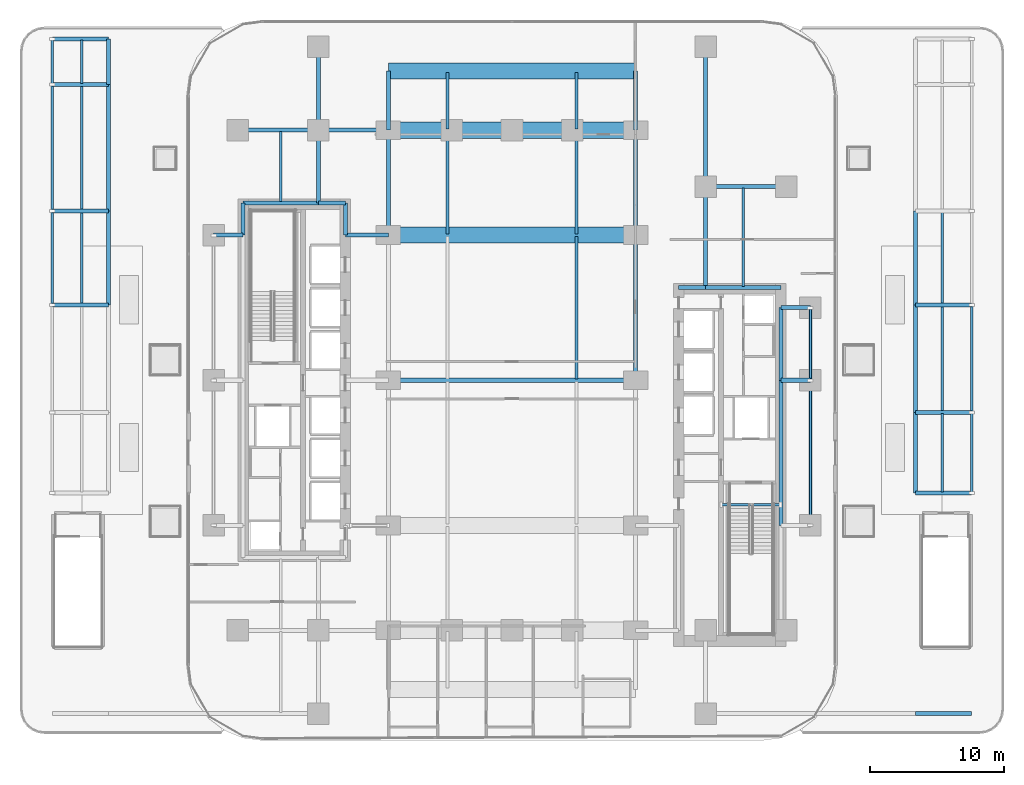
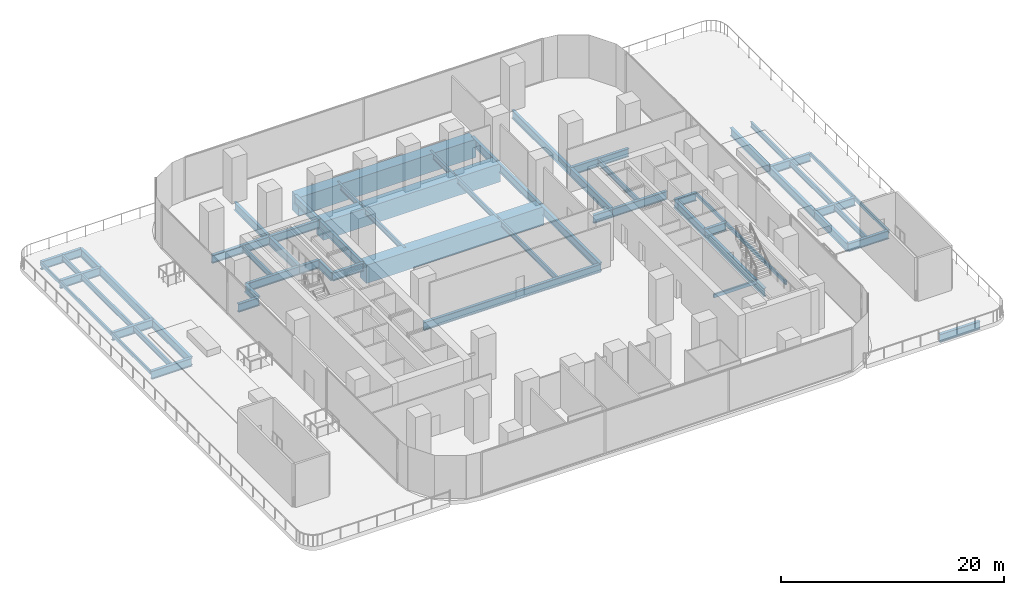
# One storey, part 2 of 21: 63 beams.
"""IFC4 building model written with IfcOpenShell, lengths in metres."""

from ifc_helpers import new_model, si_unit, direction, frame, origin, origin_2d, place, context, subcontext, project, spatial, rectangle, hollow_rectangle, i_section, extrude, material, material_profile, profile_set, type_object, element, save


model = new_model("IFC4")

# Units and contexts
model_context = context("Model", 3, precision=1e-05, world=origin(), true_north=direction((0.0, 1.0)))
body_context = subcontext(model_context, "Body", "Model", "MODEL_VIEW")
ifc_project = project(units=[si_unit("LENGTHUNIT", "METRE"), si_unit("AREAUNIT", "SQUARE_METRE"), si_unit("VOLUMEUNIT", "CUBIC_METRE"), si_unit("PLANEANGLEUNIT", "RADIAN"), si_unit("MASSUNIT", "GRAM", prefix="KILO")], contexts=[model_context])

# Site, building, storey
site_placement = place(None, origin())
site = spatial("IfcSite", under=ifc_project, at=site_placement, CompositionType="ELEMENT")
building_placement = place(site_placement, origin())
building = spatial("IfcBuilding", under=site, at=building_placement, Name="Khairoan Windgate Tower", CompositionType="ELEMENT")
storey_placement = place(building_placement, frame((0.0, 0.0, 21.0)))
storey = spatial("IfcBuildingStorey", under=building, at=storey_placement, Name="L05", CompositionType="ELEMENT", Elevation=21.0)

# Beams
ifc_material_1 = material(Name="Concrete C50/60", Category="concrete")
ifc_material_profile_1 = material_profile(ifc_material_1, rectangle(XDim=1.199951171875, YDim=2.0, at=origin_2d()))
ifc_profile_set_1 = profile_set([ifc_material_profile_1], Name="Concrete C50/60")
beam_type_1 = type_object("IfcBeamType", Name="Arch Transfer Girder TG1 RC1200x2000", PredefinedType="BEAM", material=ifc_profile_set_1)
for number, where, z_axis, x_axis, name in (
    (1, (-9.199951171875, 10.800048828125, -1.449951171875), (1.0, 0.0, 0.0), (0.0, 1.0, 0.0), "Podium Arch Transfer Girder TG1-04"),
    (2, (-9.199951171875, 18.60009765625, -1.449951171875), (1.0, 0.0, 0.0), (0.0, 1.0, 0.0), "Podium Arch Transfer Girder TG1-05"),
    (3, (-9.199951171875, 23.0, -1.449951171875), (1.0, 0.0, 0.0), (0.0, 1.0, 0.0), "Podium Arch Transfer Girder TG1-06"),
):
    element("IfcBeam", number, at=place(storey_placement, frame(where, z_axis=z_axis, x_axis=x_axis)), inside=storey, type_object=beam_type_1, Name=name, PredefinedType="BEAM", context=body_context, shape_type="SweptSolid", body=[
        extrude(rectangle(XDim=1.199951171875, YDim=2.0, at=origin_2d()), origin(), (0.0, 0.0, 1.0), 18.39990234375),
    ])
ifc_material_2 = material(Name="Steel S355", Category="steel")
ifc_material_profile_2 = material_profile(ifc_material_2, i_section(OverallWidth=0.300048828125, OverallDepth=0.89990234375, WebThickness=0.01611328125, FlangeThickness=0.028076171875, FilletRadius=0.028076171875, at=origin_2d()))
ifc_profile_set_2 = profile_set([ifc_material_profile_2], Name="Steel S355")
beam_type_2 = type_object("IfcBeamType", Name="Beam B-G1 H900x300x16x28", PredefinedType="BEAM", material=ifc_profile_set_2)
for number, where, z_axis, x_axis, name in (
    (4, (30.0, -24.800048828125, -0.89990234375), (1.0, 0.0, 0.0), (0.0, 1.0, 0.0), "L05 E-W Primary Girder 04"),
    (5, (30.0, -8.39990234375, -0.89990234375), (1.0, 0.0, 0.0), (0.0, 1.0, 0.0), "L05 E-W Primary Girder 15"),
    (6, (30.0, -2.39990234375, -0.89990234375), (1.0, 0.0, 0.0), (0.0, 1.0, 0.0), "L05 E-W Primary Girder 17"),
):
    element("IfcBeam", number, at=place(storey_placement, frame(where, z_axis=z_axis, x_axis=x_axis)), inside=storey, type_object=beam_type_2, Name=name, PredefinedType="BEAM", context=body_context, shape_type="SweptSolid", body=[
        extrude(i_section(OverallWidth=0.300048828125, OverallDepth=0.89990234375, WebThickness=0.01611328125, FlangeThickness=0.028076171875, FilletRadius=0.028076171875, at=origin_2d()), origin(), (0.0, 0.0, 1.0), 4.199951171875),
    ])
beam_1_placement = place(storey_placement, frame((-9.199951171875, 0.0, -0.89990234375), z_axis=(1.0, 0.0, 0.0), x_axis=(0.0, 1.0, 0.0)))
element("IfcBeam", 7, at=beam_1_placement, inside=storey, type_object=beam_type_2, Name="L05 E-W Primary Girder 20", PredefinedType="BEAM", context=body_context, shape_type="SweptSolid", body=[
    extrude(i_section(OverallWidth=0.300048828125, OverallDepth=0.89990234375, WebThickness=0.01611328125, FlangeThickness=0.028076171875, FilletRadius=0.028076171875, at=origin_2d()), origin(), (0.0, 0.0, 1.0), 18.39990234375),
])
for number, where, z_axis, x_axis, name in (
    (8, (20.0, 0.0, -0.89990234375), (1.0, 0.0, 0.0), (0.0, 1.0, 0.0), "L05 E-W Primary Girder 21"),
    (9, (20.0, 5.39990234375, -0.89990234375), (1.0, 0.0, 0.0), (0.0, 1.0, 0.0), "L05 E-W Primary Girder 22"),
):
    element("IfcBeam", number, at=place(storey_placement, frame(where, z_axis=z_axis, x_axis=x_axis)), inside=storey, type_object=beam_type_2, Name=name, PredefinedType="BEAM", context=body_context, shape_type="SweptSolid", body=[
        extrude(i_section(OverallWidth=0.300048828125, OverallDepth=0.89990234375, WebThickness=0.01611328125, FlangeThickness=0.028076171875, FilletRadius=0.028076171875, at=origin_2d()), origin(), (0.0, 0.0, 1.0), 2.199951171875),
    ])
for number, where, z_axis, x_axis, name in (
    (10, (-34.199951171875, 5.60009765625, -0.89990234375), (1.0, 0.0, 0.0), (0.0, 1.0, 0.0), "L05 E-W Primary Girder 23"),
    (11, (30.0, 5.60009765625, -0.89990234375), (1.0, 0.0, 0.0), (0.0, 1.0, 0.0), "L05 E-W Primary Girder 24"),
):
    element("IfcBeam", number, at=place(storey_placement, frame(where, z_axis=z_axis, x_axis=x_axis)), inside=storey, type_object=beam_type_2, Name=name, PredefinedType="BEAM", context=body_context, shape_type="SweptSolid", body=[
        extrude(i_section(OverallWidth=0.300048828125, OverallDepth=0.89990234375, WebThickness=0.01611328125, FlangeThickness=0.028076171875, FilletRadius=0.028076171875, at=origin_2d()), origin(), (0.0, 0.0, 1.0), 4.199951171875),
    ])
beam_2_placement = place(storey_placement, frame((12.39990234375, 6.89990234375, -0.89990234375), z_axis=(1.0, 0.0, 0.0), x_axis=(0.0, 1.0, 0.0)))
element("IfcBeam", 12, at=beam_2_placement, inside=storey, type_object=beam_type_2, Name="L05 E-W Primary Girder 25", PredefinedType="BEAM", context=body_context, shape_type="SweptSolid", body=[
    extrude(i_section(OverallWidth=0.300048828125, OverallDepth=0.89990234375, WebThickness=0.01611328125, FlangeThickness=0.028076171875, FilletRadius=0.028076171875, at=origin_2d()), origin(), (0.0, 0.0, 1.0), 2.0),
])
beam_3_placement = place(storey_placement, frame((14.39990234375, 6.89990234375, -0.89990234375), z_axis=(1.0, 0.0, 0.0), x_axis=(0.0, 1.0, 0.0)))
element("IfcBeam", 13, at=beam_3_placement, inside=storey, type_object=beam_type_2, Name="L05 E-W Primary Girder 26", PredefinedType="BEAM", context=body_context, shape_type="SweptSolid", body=[
    extrude(i_section(OverallWidth=0.300048828125, OverallDepth=0.89990234375, WebThickness=0.01611328125, FlangeThickness=0.028076171875, FilletRadius=0.028076171875, at=origin_2d()), origin(), (0.0, 0.0, 1.0), 5.60009765625),
])
beam_4_placement = place(storey_placement, frame((-22.199951171875, 10.800048828125, -0.89990234375), z_axis=(1.0, 0.0, 0.0), x_axis=(0.0, 1.0, 0.0)))
element("IfcBeam", 14, at=beam_4_placement, inside=storey, type_object=beam_type_2, Name="L05 E-W Primary Girder 27", PredefinedType="BEAM", context=body_context, shape_type="SweptSolid", body=[
    extrude(i_section(OverallWidth=0.300048828125, OverallDepth=0.89990234375, WebThickness=0.01611328125, FlangeThickness=0.028076171875, FilletRadius=0.028076171875, at=origin_2d()), origin(), (0.0, 0.0, 1.0), 2.199951171875),
])
beam_5_placement = place(storey_placement, frame((-12.39990234375, 10.800048828125, -0.89990234375), z_axis=(1.0, 0.0, 0.0), x_axis=(0.0, 1.0, 0.0)))
element("IfcBeam", 15, at=beam_5_placement, inside=storey, type_object=beam_type_2, Name="L05 E-W Primary Girder 28", PredefinedType="BEAM", context=body_context, shape_type="SweptSolid", body=[
    extrude(i_section(OverallWidth=0.300048828125, OverallDepth=0.89990234375, WebThickness=0.01611328125, FlangeThickness=0.028076171875, FilletRadius=0.028076171875, at=origin_2d()), origin(), (0.0, 0.0, 1.0), 3.199951171875),
])
beam_6_placement = place(storey_placement, frame((-34.199951171875, 12.60009765625, -0.89990234375), z_axis=(1.0, 0.0, 0.0), x_axis=(0.0, 1.0, 0.0)))
element("IfcBeam", 16, at=beam_6_placement, inside=storey, type_object=beam_type_2, Name="L05 E-W Primary Girder 29", PredefinedType="BEAM", context=body_context, shape_type="SweptSolid", body=[
    extrude(i_section(OverallWidth=0.300048828125, OverallDepth=0.89990234375, WebThickness=0.01611328125, FlangeThickness=0.028076171875, FilletRadius=0.028076171875, at=origin_2d()), origin(), (0.0, 0.0, 1.0), 4.199951171875),
])
beam_7_placement = place(storey_placement, frame((-20.0, 13.199951171875, -0.89990234375), z_axis=(1.0, 0.0, 0.0), x_axis=(0.0, 1.0, 0.0)))
element("IfcBeam", 17, at=beam_7_placement, inside=storey, type_object=beam_type_2, Name="L05 E-W Primary Girder 31", PredefinedType="BEAM", context=body_context, shape_type="SweptSolid", body=[
    extrude(i_section(OverallWidth=0.300048828125, OverallDepth=0.89990234375, WebThickness=0.01611328125, FlangeThickness=0.028076171875, FilletRadius=0.028076171875, at=origin_2d()), origin(), (0.0, 0.0, 1.0), 5.60009765625),
])
beam_8_placement = place(storey_placement, frame((-14.39990234375, 13.199951171875, -0.89990234375), z_axis=(1.0, 0.0, 0.0), x_axis=(0.0, 1.0, 0.0)))
element("IfcBeam", 18, at=beam_8_placement, inside=storey, type_object=beam_type_2, Name="L05 E-W Primary Girder 32", PredefinedType="BEAM", context=body_context, shape_type="SweptSolid", body=[
    extrude(i_section(OverallWidth=0.300048828125, OverallDepth=0.89990234375, WebThickness=0.01611328125, FlangeThickness=0.028076171875, FilletRadius=0.028076171875, at=origin_2d()), origin(), (0.0, 0.0, 1.0), 2.0),
])
for number, where, z_axis, x_axis, name in (
    (19, (14.39990234375, 14.39990234375, -0.89990234375), (1.0, 0.0, 0.0), (0.0, 1.0, 0.0), "L05 E-W Primary Girder 33"),
    (20, (-20.39990234375, 18.60009765625, -0.89990234375), (1.0, 0.0, 0.0), (0.0, 1.0, 0.0), "L05 E-W Primary Girder 34"),
):
    element("IfcBeam", number, at=place(storey_placement, frame(where, z_axis=z_axis, x_axis=x_axis)), inside=storey, type_object=beam_type_2, Name=name, PredefinedType="BEAM", context=body_context, shape_type="SweptSolid", body=[
        extrude(i_section(OverallWidth=0.300048828125, OverallDepth=0.89990234375, WebThickness=0.01611328125, FlangeThickness=0.028076171875, FilletRadius=0.028076171875, at=origin_2d()), origin(), (0.0, 0.0, 1.0), 6.0),
    ])
beam_9_placement = place(storey_placement, frame((-14.39990234375, 18.60009765625, -0.89990234375), z_axis=(1.0, 0.0, 0.0), x_axis=(0.0, 1.0, 0.0)))
element("IfcBeam", 21, at=beam_9_placement, inside=storey, type_object=beam_type_2, Name="L05 E-W Primary Girder 35", PredefinedType="BEAM", context=body_context, shape_type="SweptSolid", body=[
    extrude(i_section(OverallWidth=0.300048828125, OverallDepth=0.89990234375, WebThickness=0.01611328125, FlangeThickness=0.028076171875, FilletRadius=0.028076171875, at=origin_2d()), origin(), (0.0, 0.0, 1.0), 5.199951171875),
])
for number, where, z_axis, x_axis, name in (
    (22, (-34.199951171875, 22.0, -0.89990234375), (1.0, 0.0, 0.0), (0.0, 1.0, 0.0), "L05 E-W Primary Girder 36"),
    (23, (-34.199951171875, 25.39990234375, -0.89990234375), (1.0, 0.0, 0.0), (0.0, 1.0, 0.0), "L05 E-W Primary Girder 38"),
):
    element("IfcBeam", number, at=place(storey_placement, frame(where, z_axis=z_axis, x_axis=x_axis)), inside=storey, type_object=beam_type_2, Name=name, PredefinedType="BEAM", context=body_context, shape_type="SweptSolid", body=[
        extrude(i_section(OverallWidth=0.300048828125, OverallDepth=0.89990234375, WebThickness=0.01611328125, FlangeThickness=0.028076171875, FilletRadius=0.028076171875, at=origin_2d()), origin(), (0.0, 0.0, 1.0), 4.199951171875),
    ])
beam_10_placement = place(storey_placement, frame((-30.0, 5.60009765625, -0.89990234375), z_axis=(0.0, 1.0, 0.0), x_axis=(-1.0, 0.0, 0.0)))
element("IfcBeam", 24, at=beam_10_placement, inside=storey, type_object=beam_type_2, Name="L05 N-S Primary Beam 47", PredefinedType="BEAM", context=body_context, shape_type="SweptSolid", body=[
    extrude(i_section(OverallWidth=0.300048828125, OverallDepth=0.89990234375, WebThickness=0.01611328125, FlangeThickness=0.028076171875, FilletRadius=0.028076171875, at=origin_2d()), origin(), (0.0, 0.0, 1.0), 7.0),
])
beam_11_placement = place(storey_placement, frame((-30.0, 12.60009765625, -0.89990234375), z_axis=(0.0, 1.0, 0.0), x_axis=(-1.0, 0.0, 0.0)))
element("IfcBeam", 25, at=beam_11_placement, inside=storey, type_object=beam_type_2, Name="L05 N-S Primary Beam 48", PredefinedType="BEAM", context=body_context, shape_type="SweptSolid", body=[
    extrude(i_section(OverallWidth=0.300048828125, OverallDepth=0.89990234375, WebThickness=0.01611328125, FlangeThickness=0.028076171875, FilletRadius=0.028076171875, at=origin_2d()), origin(), (0.0, 0.0, 1.0), 9.39990234375),
])
beam_12_placement = place(storey_placement, frame((-30.0, 22.0, -0.89990234375), z_axis=(0.0, 1.0, 0.0), x_axis=(-1.0, 0.0, 0.0)))
element("IfcBeam", 26, at=beam_12_placement, inside=storey, type_object=beam_type_2, Name="L05 N-S Primary Beam 49", PredefinedType="BEAM", context=body_context, shape_type="SweptSolid", body=[
    extrude(i_section(OverallWidth=0.300048828125, OverallDepth=0.89990234375, WebThickness=0.01611328125, FlangeThickness=0.028076171875, FilletRadius=0.028076171875, at=origin_2d()), origin(), (0.0, 0.0, 1.0), 3.39990234375),
])
beam_13_placement = place(storey_placement, frame((-20.0, 10.800048828125, -0.89990234375), z_axis=(0.0, 1.0, 0.0), x_axis=(-1.0, 0.0, 0.0)))
element("IfcBeam", 27, at=beam_13_placement, inside=storey, type_object=beam_type_2, Name="L05 N-S Primary Beam 55", PredefinedType="BEAM", context=body_context, shape_type="SweptSolid", body=[
    extrude(i_section(OverallWidth=0.300048828125, OverallDepth=0.89990234375, WebThickness=0.01611328125, FlangeThickness=0.028076171875, FilletRadius=0.028076171875, at=origin_2d()), origin(), (0.0, 0.0, 1.0), 2.39990234375),
])
beam_14_placement = place(storey_placement, frame((-14.39990234375, 13.199951171875, -0.89990234375), z_axis=(0.0, 1.0, 0.0), x_axis=(-1.0, 0.0, 0.0)))
element("IfcBeam", 28, at=beam_14_placement, inside=storey, type_object=beam_type_2, Name="L05 N-S Primary Beam 58", PredefinedType="BEAM", context=body_context, shape_type="SweptSolid", body=[
    extrude(i_section(OverallWidth=0.300048828125, OverallDepth=0.89990234375, WebThickness=0.01611328125, FlangeThickness=0.028076171875, FilletRadius=0.028076171875, at=origin_2d()), origin(), (0.0, 0.0, 1.0), 5.400146484375),
])
beam_15_placement = place(storey_placement, frame((-14.39990234375, 18.60009765625, -0.89990234375), z_axis=(0.0, 1.0, 0.0), x_axis=(-1.0, 0.0, 0.0)))
element("IfcBeam", 29, at=beam_15_placement, inside=storey, type_object=beam_type_2, Name="L05 N-S Primary Beam 59", PredefinedType="BEAM", context=body_context, shape_type="SweptSolid", body=[
    extrude(i_section(OverallWidth=0.300048828125, OverallDepth=0.89990234375, WebThickness=0.01611328125, FlangeThickness=0.028076171875, FilletRadius=0.028076171875, at=origin_2d()), origin(), (0.0, 0.0, 1.0), 6.199951171875),
])
beam_16_placement = place(storey_placement, frame((-12.39990234375, 10.800048828125, -0.89990234375), z_axis=(0.0, 1.0, 0.0), x_axis=(-1.0, 0.0, 0.0)))
element("IfcBeam", 30, at=beam_16_placement, inside=storey, type_object=beam_type_2, Name="L05 N-S Primary Beam 61", PredefinedType="BEAM", context=body_context, shape_type="SweptSolid", body=[
    extrude(i_section(OverallWidth=0.300048828125, OverallDepth=0.89990234375, WebThickness=0.01611328125, FlangeThickness=0.028076171875, FilletRadius=0.028076171875, at=origin_2d()), origin(), (0.0, 0.0, 1.0), 2.39990234375),
])
beam_17_placement = place(storey_placement, frame((-9.199951171875, 10.800048828125, -0.89990234375), z_axis=(0.0, 1.0, 0.0), x_axis=(-1.0, 0.0, 0.0)))
element("IfcBeam", 31, at=beam_17_placement, inside=storey, type_object=beam_type_2, Name="L05 N-S Primary Beam 66", PredefinedType="BEAM", context=body_context, shape_type="SweptSolid", body=[
    extrude(i_section(OverallWidth=0.300048828125, OverallDepth=0.89990234375, WebThickness=0.01611328125, FlangeThickness=0.028076171875, FilletRadius=0.028076171875, at=origin_2d()), origin(), (0.0, 0.0, 1.0), 7.800048828125),
])
beam_18_placement = place(storey_placement, frame((-9.199951171875, 18.60009765625, -0.89990234375), z_axis=(0.0, 1.0, 0.0), x_axis=(-1.0, 0.0, 0.0)))
element("IfcBeam", 32, at=beam_18_placement, inside=storey, type_object=beam_type_2, Name="L05 N-S Primary Beam 67", PredefinedType="BEAM", context=body_context, shape_type="SweptSolid", body=[
    extrude(i_section(OverallWidth=0.300048828125, OverallDepth=0.89990234375, WebThickness=0.01611328125, FlangeThickness=0.028076171875, FilletRadius=0.028076171875, at=origin_2d()), origin(), (0.0, 0.0, 1.0), 4.39990234375),
])
beam_19_placement = place(storey_placement, frame((9.199951171875, 0.0, -0.89990234375), z_axis=(0.0, 1.0, 0.0), x_axis=(-1.0, 0.0, 0.0)))
element("IfcBeam", 33, at=beam_19_placement, inside=storey, type_object=beam_type_2, Name="L05 N-S Primary Beam 71", PredefinedType="BEAM", context=body_context, shape_type="SweptSolid", body=[
    extrude(i_section(OverallWidth=0.300048828125, OverallDepth=0.89990234375, WebThickness=0.01611328125, FlangeThickness=0.028076171875, FilletRadius=0.028076171875, at=origin_2d()), origin(), (0.0, 0.0, 1.0), 10.800048828125),
])
beam_20_placement = place(storey_placement, frame((9.199951171875, 10.800048828125, -0.89990234375), z_axis=(0.0, 1.0, 0.0), x_axis=(-1.0, 0.0, 0.0)))
element("IfcBeam", 34, at=beam_20_placement, inside=storey, type_object=beam_type_2, Name="L05 N-S Primary Beam 72", PredefinedType="BEAM", context=body_context, shape_type="SweptSolid", body=[
    extrude(i_section(OverallWidth=0.300048828125, OverallDepth=0.89990234375, WebThickness=0.01611328125, FlangeThickness=0.028076171875, FilletRadius=0.028076171875, at=origin_2d()), origin(), (0.0, 0.0, 1.0), 7.800048828125),
])
beam_21_placement = place(storey_placement, frame((9.199951171875, 18.60009765625, -0.89990234375), z_axis=(0.0, 1.0, 0.0), x_axis=(-1.0, 0.0, 0.0)))
element("IfcBeam", 35, at=beam_21_placement, inside=storey, type_object=beam_type_2, Name="L05 N-S Primary Beam 73", PredefinedType="BEAM", context=body_context, shape_type="SweptSolid", body=[
    extrude(i_section(OverallWidth=0.300048828125, OverallDepth=0.89990234375, WebThickness=0.01611328125, FlangeThickness=0.028076171875, FilletRadius=0.028076171875, at=origin_2d()), origin(), (0.0, 0.0, 1.0), 4.39990234375),
])
beam_22_placement = place(storey_placement, frame((14.39990234375, 6.89990234375, -0.89990234375), z_axis=(0.0, 1.0, 0.0), x_axis=(-1.0, 0.0, 0.0)))
element("IfcBeam", 36, at=beam_22_placement, inside=storey, type_object=beam_type_2, Name="L05 N-S Primary Beam 76", PredefinedType="BEAM", context=body_context, shape_type="SweptSolid", body=[
    extrude(i_section(OverallWidth=0.300048828125, OverallDepth=0.89990234375, WebThickness=0.01611328125, FlangeThickness=0.028076171875, FilletRadius=0.028076171875, at=origin_2d()), origin(), (0.0, 0.0, 1.0), 7.5),
])
beam_23_placement = place(storey_placement, frame((14.39990234375, 14.39990234375, -0.89990234375), z_axis=(0.0, 1.0, 0.0), x_axis=(-1.0, 0.0, 0.0)))
element("IfcBeam", 37, at=beam_23_placement, inside=storey, type_object=beam_type_2, Name="L05 N-S Primary Beam 77", PredefinedType="BEAM", context=body_context, shape_type="SweptSolid", body=[
    extrude(i_section(OverallWidth=0.300048828125, OverallDepth=0.89990234375, WebThickness=0.01611328125, FlangeThickness=0.028076171875, FilletRadius=0.028076171875, at=origin_2d()), origin(), (0.0, 0.0, 1.0), 10.400146484375),
])
beam_24_placement = place(storey_placement, frame((20.0, -10.800048828125, -0.89990234375), z_axis=(0.0, 1.0, 0.0), x_axis=(-1.0, 0.0, 0.0)))
element("IfcBeam", 38, at=beam_24_placement, inside=storey, type_object=beam_type_2, Name="L05 N-S Primary Beam 79", PredefinedType="BEAM", context=body_context, shape_type="SweptSolid", body=[
    extrude(i_section(OverallWidth=0.300048828125, OverallDepth=0.89990234375, WebThickness=0.01611328125, FlangeThickness=0.028076171875, FilletRadius=0.028076171875, at=origin_2d()), origin(), (0.0, 0.0, 1.0), 10.800048828125),
])
beam_25_placement = place(storey_placement, frame((20.0, 0.0, -0.89990234375), z_axis=(0.0, 1.0, 0.0), x_axis=(-1.0, 0.0, 0.0)))
element("IfcBeam", 39, at=beam_25_placement, inside=storey, type_object=beam_type_2, Name="L05 N-S Primary Beam 80", PredefinedType="BEAM", context=body_context, shape_type="SweptSolid", body=[
    extrude(i_section(OverallWidth=0.300048828125, OverallDepth=0.89990234375, WebThickness=0.01611328125, FlangeThickness=0.028076171875, FilletRadius=0.028076171875, at=origin_2d()), origin(), (0.0, 0.0, 1.0), 5.39990234375),
])
beam_26_placement = place(storey_placement, frame((30.0, -8.39990234375, -0.89990234375), z_axis=(0.0, 1.0, 0.0), x_axis=(-1.0, 0.0, 0.0)))
element("IfcBeam", 40, at=beam_26_placement, inside=storey, type_object=beam_type_2, Name="L05 N-S Primary Beam 83", PredefinedType="BEAM", context=body_context, shape_type="SweptSolid", body=[
    extrude(i_section(OverallWidth=0.300048828125, OverallDepth=0.89990234375, WebThickness=0.01611328125, FlangeThickness=0.028076171875, FilletRadius=0.028076171875, at=origin_2d()), origin(), (0.0, 0.0, 1.0), 6.0),
])
beam_27_placement = place(storey_placement, frame((30.0, -2.39990234375, -0.89990234375), z_axis=(0.0, 1.0, 0.0), x_axis=(-1.0, 0.0, 0.0)))
element("IfcBeam", 41, at=beam_27_placement, inside=storey, type_object=beam_type_2, Name="L05 N-S Primary Beam 84", PredefinedType="BEAM", context=body_context, shape_type="SweptSolid", body=[
    extrude(i_section(OverallWidth=0.300048828125, OverallDepth=0.89990234375, WebThickness=0.01611328125, FlangeThickness=0.028076171875, FilletRadius=0.028076171875, at=origin_2d()), origin(), (0.0, 0.0, 1.0), 8.0),
])
beam_28_placement = place(storey_placement, frame((30.0, 5.60009765625, -0.89990234375), z_axis=(0.0, 1.0, 0.0), x_axis=(-1.0, 0.0, 0.0)))
element("IfcBeam", 42, at=beam_28_placement, inside=storey, type_object=beam_type_2, Name="L05 N-S Primary Beam 85", PredefinedType="BEAM", context=body_context, shape_type="SweptSolid", body=[
    extrude(i_section(OverallWidth=0.300048828125, OverallDepth=0.89990234375, WebThickness=0.01611328125, FlangeThickness=0.028076171875, FilletRadius=0.028076171875, at=origin_2d()), origin(), (0.0, 0.0, 1.0), 7.0),
])
ifc_material_3 = material(Name="Steel S355", Category="steel")
ifc_material_profile_3 = material_profile(ifc_material_3, i_section(OverallWidth=0.199951171875, OverallDepth=0.60009765625, WebThickness=0.010986328125, FlangeThickness=0.01708984375, FilletRadius=0.02197265625, at=origin_2d()))
ifc_profile_set_3 = profile_set([ifc_material_profile_3], Name="Steel S355")
beam_type_3 = type_object("IfcBeamType", Name="Beam J-S1 H600x200x11x17", PredefinedType="JOIST", material=ifc_profile_set_3)
beam_29_placement = place(storey_placement, frame((-32.0, 5.68994140625, -0.75), z_axis=(0.0, 1.0, 0.0), x_axis=(-1.0, 0.0, 0.0)))
element("IfcBeam", 43, at=beam_29_placement, inside=storey, type_object=beam_type_3, Name="L05 Secondary Floor Joist 03", PredefinedType="JOIST", context=body_context, shape_type="SweptSolid", body=[
    extrude(i_section(OverallWidth=0.199951171875, OverallDepth=0.60009765625, WebThickness=0.010986328125, FlangeThickness=0.01708984375, FilletRadius=0.02197265625, at=origin_2d()), origin(), (0.0, 0.0, 1.0), 6.820068359375),
])
beam_30_placement = place(storey_placement, frame((-32.0, 12.68994140625, -0.75), z_axis=(0.0, 1.0, 0.0), x_axis=(-1.0, 0.0, 0.0)))
element("IfcBeam", 44, at=beam_30_placement, inside=storey, type_object=beam_type_3, Name="L05 Secondary Floor Joist 04", PredefinedType="JOIST", context=body_context, shape_type="SweptSolid", body=[
    extrude(i_section(OverallWidth=0.199951171875, OverallDepth=0.60009765625, WebThickness=0.010986328125, FlangeThickness=0.01708984375, FilletRadius=0.02197265625, at=origin_2d()), origin(), (0.0, 0.0, 1.0), 9.219970703125),
])
beam_31_placement = place(storey_placement, frame((-32.0, 22.090087890625, -0.75), z_axis=(0.0, 1.0, 0.0), x_axis=(-1.0, 0.0, 0.0)))
element("IfcBeam", 45, at=beam_31_placement, inside=storey, type_object=beam_type_3, Name="L05 Secondary Floor Joist 05", PredefinedType="JOIST", context=body_context, shape_type="SweptSolid", body=[
    extrude(i_section(OverallWidth=0.199951171875, OverallDepth=0.60009765625, WebThickness=0.010986328125, FlangeThickness=0.01708984375, FilletRadius=0.02197265625, at=origin_2d()), origin(), (0.0, 0.0, 1.0), 3.219970703125),
])
beam_32_placement = place(storey_placement, frame((-17.199951171875, 13.2900390625, -0.75), z_axis=(0.0, 1.0, 0.0), x_axis=(-1.0, 0.0, 0.0)))
element("IfcBeam", 46, at=beam_32_placement, inside=storey, type_object=beam_type_3, Name="L05 Secondary Floor Joist 08", PredefinedType="JOIST", context=body_context, shape_type="SweptSolid", body=[
    extrude(i_section(OverallWidth=0.199951171875, OverallDepth=0.60009765625, WebThickness=0.010986328125, FlangeThickness=0.01708984375, FilletRadius=0.02197265625, at=origin_2d()), origin(), (0.0, 0.0, 1.0), 5.219970703125),
])
beam_33_placement = place(storey_placement, frame((-4.800048828125, 10.889892578125, -0.75), z_axis=(0.0, 1.0, 0.0), x_axis=(-1.0, 0.0, 0.0)))
element("IfcBeam", 47, at=beam_33_placement, inside=storey, type_object=beam_type_3, Name="L05 Secondary Floor Joist 13", PredefinedType="JOIST", context=body_context, shape_type="SweptSolid", body=[
    extrude(i_section(OverallWidth=0.199951171875, OverallDepth=0.60009765625, WebThickness=0.010986328125, FlangeThickness=0.01708984375, FilletRadius=0.02197265625, at=origin_2d()), origin(), (0.0, 0.0, 1.0), 7.6201171875),
])
beam_34_placement = place(storey_placement, frame((-4.800048828125, 18.68994140625, -0.75), z_axis=(0.0, 1.0, 0.0), x_axis=(-1.0, 0.0, 0.0)))
element("IfcBeam", 48, at=beam_34_placement, inside=storey, type_object=beam_type_3, Name="L05 Secondary Floor Joist 14", PredefinedType="JOIST", context=body_context, shape_type="SweptSolid", body=[
    extrude(i_section(OverallWidth=0.199951171875, OverallDepth=0.60009765625, WebThickness=0.010986328125, FlangeThickness=0.01708984375, FilletRadius=0.02197265625, at=origin_2d()), origin(), (0.0, 0.0, 1.0), 4.219970703125),
])
beam_35_placement = place(storey_placement, frame((4.800048828125, 0.090087890625, -0.75), z_axis=(0.0, 1.0, 0.0), x_axis=(-1.0, 0.0, 0.0)))
element("IfcBeam", 49, at=beam_35_placement, inside=storey, type_object=beam_type_3, Name="L05 Secondary Floor Joist 18", PredefinedType="JOIST", context=body_context, shape_type="SweptSolid", body=[
    extrude(i_section(OverallWidth=0.199951171875, OverallDepth=0.60009765625, WebThickness=0.010986328125, FlangeThickness=0.01708984375, FilletRadius=0.02197265625, at=origin_2d()), origin(), (0.0, 0.0, 1.0), 10.619873046875),
])
beam_36_placement = place(storey_placement, frame((4.800048828125, 10.889892578125, -0.75), z_axis=(0.0, 1.0, 0.0), x_axis=(-1.0, 0.0, 0.0)))
element("IfcBeam", 50, at=beam_36_placement, inside=storey, type_object=beam_type_3, Name="L05 Secondary Floor Joist 19", PredefinedType="JOIST", context=body_context, shape_type="SweptSolid", body=[
    extrude(i_section(OverallWidth=0.199951171875, OverallDepth=0.60009765625, WebThickness=0.010986328125, FlangeThickness=0.01708984375, FilletRadius=0.02197265625, at=origin_2d()), origin(), (0.0, 0.0, 1.0), 7.6201171875),
])
beam_37_placement = place(storey_placement, frame((4.800048828125, 18.68994140625, -0.75), z_axis=(0.0, 1.0, 0.0), x_axis=(-1.0, 0.0, 0.0)))
element("IfcBeam", 51, at=beam_37_placement, inside=storey, type_object=beam_type_3, Name="L05 Secondary Floor Joist 20", PredefinedType="JOIST", context=body_context, shape_type="SweptSolid", body=[
    extrude(i_section(OverallWidth=0.199951171875, OverallDepth=0.60009765625, WebThickness=0.010986328125, FlangeThickness=0.01708984375, FilletRadius=0.02197265625, at=origin_2d()), origin(), (0.0, 0.0, 1.0), 4.219970703125),
])
beam_38_placement = place(storey_placement, frame((17.199951171875, 6.989990234375, -0.75), z_axis=(0.0, 1.0, 0.0), x_axis=(-1.0, 0.0, 0.0)))
element("IfcBeam", 52, at=beam_38_placement, inside=storey, type_object=beam_type_3, Name="L05 Secondary Floor Joist 21", PredefinedType="JOIST", context=body_context, shape_type="SweptSolid", body=[
    extrude(i_section(OverallWidth=0.199951171875, OverallDepth=0.60009765625, WebThickness=0.010986328125, FlangeThickness=0.01708984375, FilletRadius=0.02197265625, at=origin_2d()), origin(), (0.0, 0.0, 1.0), 7.320068359375),
])
beam_39_placement = place(storey_placement, frame((32.0, -8.31005859375, -0.75), z_axis=(0.0, 1.0, 0.0), x_axis=(-1.0, 0.0, 0.0)))
element("IfcBeam", 53, at=beam_39_placement, inside=storey, type_object=beam_type_3, Name="L05 Secondary Floor Joist 22", PredefinedType="JOIST", context=body_context, shape_type="SweptSolid", body=[
    extrude(i_section(OverallWidth=0.199951171875, OverallDepth=0.60009765625, WebThickness=0.010986328125, FlangeThickness=0.01708984375, FilletRadius=0.02197265625, at=origin_2d()), origin(), (0.0, 0.0, 1.0), 5.820068359375),
])
beam_40_placement = place(storey_placement, frame((32.0, -2.31005859375, -0.75), z_axis=(0.0, 1.0, 0.0), x_axis=(-1.0, 0.0, 0.0)))
element("IfcBeam", 54, at=beam_40_placement, inside=storey, type_object=beam_type_3, Name="L05 Secondary Floor Joist 23", PredefinedType="JOIST", context=body_context, shape_type="SweptSolid", body=[
    extrude(i_section(OverallWidth=0.199951171875, OverallDepth=0.60009765625, WebThickness=0.010986328125, FlangeThickness=0.01708984375, FilletRadius=0.02197265625, at=origin_2d()), origin(), (0.0, 0.0, 1.0), 7.820068359375),
])
beam_41_placement = place(storey_placement, frame((32.0, 5.68994140625, -0.75), z_axis=(0.0, 1.0, 0.0), x_axis=(-1.0, 0.0, 0.0)))
element("IfcBeam", 55, at=beam_41_placement, inside=storey, type_object=beam_type_3, Name="L05 Secondary Floor Joist 24", PredefinedType="JOIST", context=body_context, shape_type="SweptSolid", body=[
    extrude(i_section(OverallWidth=0.199951171875, OverallDepth=0.60009765625, WebThickness=0.010986328125, FlangeThickness=0.01708984375, FilletRadius=0.02197265625, at=origin_2d()), origin(), (0.0, 0.0, 1.0), 6.820068359375),
])
ifc_material_4 = material(Name="Steel S355", Category="steel")
ifc_material_profile_4 = material_profile(ifc_material_4, hollow_rectangle(XDim=0.199951171875, YDim=0.39990234375, WallThickness=0.013916015625, InnerFilletRadius=0.013916015625, OuterFilletRadius=0.028076171875, at=origin_2d()))
ifc_profile_set_4 = profile_set([ifc_material_profile_4], Name="Steel S355")
beam_type_4 = type_object("IfcBeamType", Name="Beam SP-B1 RHS400x200x14", PredefinedType="SPANDREL", material=ifc_profile_set_4)
beam_42_placement = place(storey_placement, frame((-34.199951171875, 5.60009765625, -0.64990234375), z_axis=(0.0, 1.0, 0.0), x_axis=(-1.0, 0.0, 0.0)))
element("IfcBeam", 56, at=beam_42_placement, inside=storey, type_object=beam_type_4, Name="L05 Spandrel Beam 42", PredefinedType="SPANDREL", context=body_context, shape_type="SweptSolid", body=[
    extrude(hollow_rectangle(XDim=0.199951171875, YDim=0.39990234375, WallThickness=0.013916015625, InnerFilletRadius=0.013916015625, OuterFilletRadius=0.028076171875, at=origin_2d()), origin(), (0.0, 0.0, 1.0), 7.0),
])
beam_43_placement = place(storey_placement, frame((-34.199951171875, 12.60009765625, -0.64990234375), z_axis=(0.0, 1.0, 0.0), x_axis=(-1.0, 0.0, 0.0)))
element("IfcBeam", 57, at=beam_43_placement, inside=storey, type_object=beam_type_4, Name="L05 Spandrel Beam 43", PredefinedType="SPANDREL", context=body_context, shape_type="SweptSolid", body=[
    extrude(hollow_rectangle(XDim=0.199951171875, YDim=0.39990234375, WallThickness=0.013916015625, InnerFilletRadius=0.013916015625, OuterFilletRadius=0.028076171875, at=origin_2d()), origin(), (0.0, 0.0, 1.0), 9.39990234375),
])
beam_44_placement = place(storey_placement, frame((-34.199951171875, 22.0, -0.64990234375), z_axis=(0.0, 1.0, 0.0), x_axis=(-1.0, 0.0, 0.0)))
element("IfcBeam", 58, at=beam_44_placement, inside=storey, type_object=beam_type_4, Name="L05 Spandrel Beam 44", PredefinedType="SPANDREL", context=body_context, shape_type="SweptSolid", body=[
    extrude(hollow_rectangle(XDim=0.199951171875, YDim=0.39990234375, WallThickness=0.013916015625, InnerFilletRadius=0.013916015625, OuterFilletRadius=0.028076171875, at=origin_2d()), origin(), (0.0, 0.0, 1.0), 3.39990234375),
])
beam_45_placement = place(storey_placement, frame((22.199951171875, -10.800048828125, -0.64990234375), z_axis=(0.0, 1.0, 0.0), x_axis=(-1.0, 0.0, 0.0)))
element("IfcBeam", 59, at=beam_45_placement, inside=storey, type_object=beam_type_4, Name="L05 Spandrel Beam 81", PredefinedType="SPANDREL", context=body_context, shape_type="SweptSolid", body=[
    extrude(hollow_rectangle(XDim=0.199951171875, YDim=0.39990234375, WallThickness=0.013916015625, InnerFilletRadius=0.013916015625, OuterFilletRadius=0.028076171875, at=origin_2d()), origin(), (0.0, 0.0, 1.0), 10.800048828125),
])
beam_46_placement = place(storey_placement, frame((22.199951171875, 0.0, -0.64990234375), z_axis=(0.0, 1.0, 0.0), x_axis=(-1.0, 0.0, 0.0)))
element("IfcBeam", 60, at=beam_46_placement, inside=storey, type_object=beam_type_4, Name="L05 Spandrel Beam 82", PredefinedType="SPANDREL", context=body_context, shape_type="SweptSolid", body=[
    extrude(hollow_rectangle(XDim=0.199951171875, YDim=0.39990234375, WallThickness=0.013916015625, InnerFilletRadius=0.013916015625, OuterFilletRadius=0.028076171875, at=origin_2d()), origin(), (0.0, 0.0, 1.0), 5.39990234375),
])
beam_47_placement = place(storey_placement, frame((34.199951171875, -8.39990234375, -0.64990234375), z_axis=(0.0, 1.0, 0.0), x_axis=(-1.0, 0.0, 0.0)))
element("IfcBeam", 61, at=beam_47_placement, inside=storey, type_object=beam_type_4, Name="L05 Spandrel Beam 88", PredefinedType="SPANDREL", context=body_context, shape_type="SweptSolid", body=[
    extrude(hollow_rectangle(XDim=0.199951171875, YDim=0.39990234375, WallThickness=0.013916015625, InnerFilletRadius=0.013916015625, OuterFilletRadius=0.028076171875, at=origin_2d()), origin(), (0.0, 0.0, 1.0), 6.0),
])
beam_48_placement = place(storey_placement, frame((34.199951171875, -2.39990234375, -0.64990234375), z_axis=(0.0, 1.0, 0.0), x_axis=(-1.0, 0.0, 0.0)))
element("IfcBeam", 62, at=beam_48_placement, inside=storey, type_object=beam_type_4, Name="L05 Spandrel Beam 89", PredefinedType="SPANDREL", context=body_context, shape_type="SweptSolid", body=[
    extrude(hollow_rectangle(XDim=0.199951171875, YDim=0.39990234375, WallThickness=0.013916015625, InnerFilletRadius=0.013916015625, OuterFilletRadius=0.028076171875, at=origin_2d()), origin(), (0.0, 0.0, 1.0), 8.0),
])
beam_49_placement = place(storey_placement, frame((15.550048828125, -9.260009765625, -0.64990234375), z_axis=(1.0, 0.0, 0.0), x_axis=(0.0, 1.0, 0.0)))
element("IfcBeam", 63, at=beam_49_placement, inside=storey, type_object=beam_type_4, Name="Stair ST1 Landing Trimmer Beam L05", PredefinedType="SPANDREL", context=body_context, shape_type="SweptSolid", body=[
    extrude(hollow_rectangle(XDim=0.199951171875, YDim=0.39990234375, WallThickness=0.013916015625, InnerFilletRadius=0.013916015625, OuterFilletRadius=0.028076171875, at=origin_2d()), origin(), (0.0, 0.0, 1.0), 4.449951171875),
])

save(model, "model.ifc")
